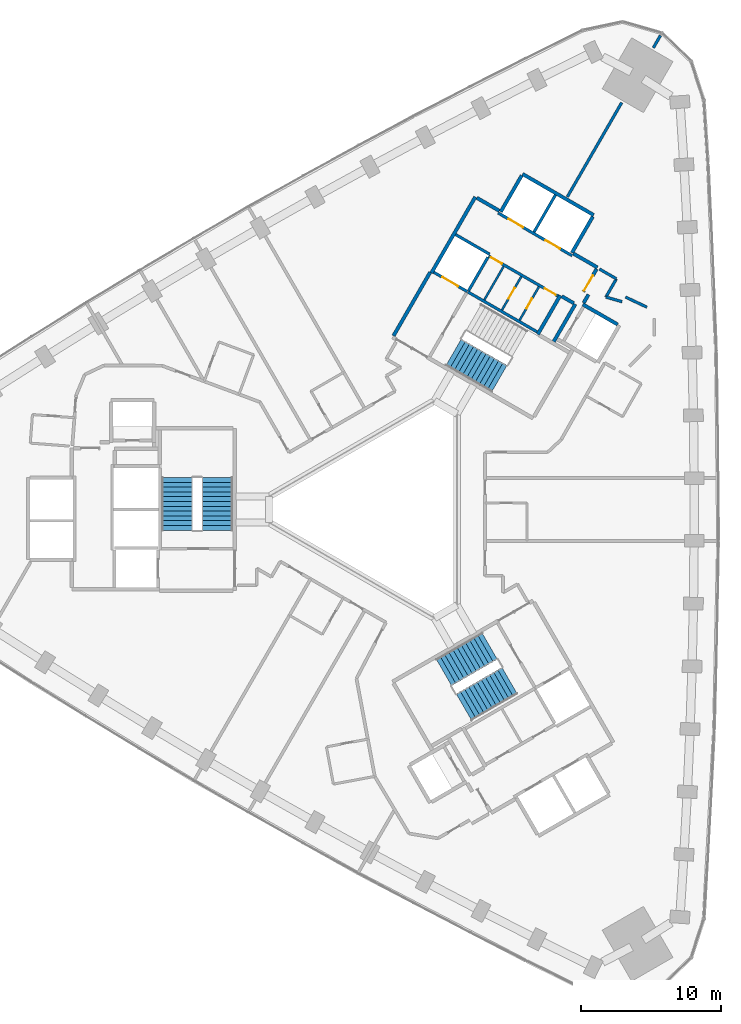
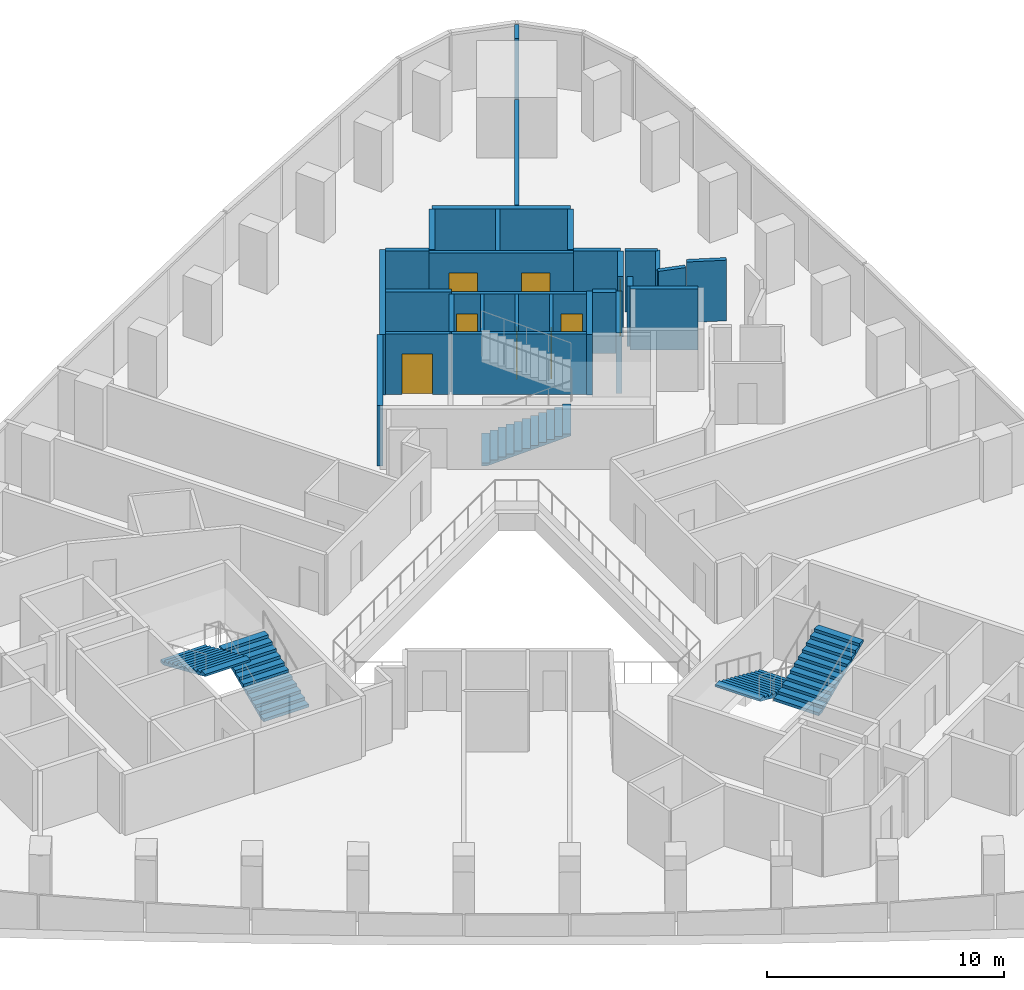
# One storey, part 11 of 13: 29 walls, 8 doors, 5 stair flights, 8 openings, 3 elements without a shape of their own.
"""IFC4 building model written with IfcOpenShell, lengths in metres."""

from ifc_helpers import new_model, si_unit, direction, frame, frame_2d, origin, place, context, subcontext, project, spatial, polyline, rectangle, outline, extrude, material, layer, layer_set, type_object, element, fill, aggregate, save


model = new_model("IFC4")

# Units and contexts
model_context = context("Model", 3, precision=1e-05, world=origin(), true_north=direction((0.0, 1.0)))
body_context = subcontext(model_context, "Body", "Model", "MODEL_VIEW")
ifc_project = project(units=[si_unit("LENGTHUNIT", "METRE"), si_unit("AREAUNIT", "SQUARE_METRE"), si_unit("VOLUMEUNIT", "CUBIC_METRE"), si_unit("PLANEANGLEUNIT", "RADIAN"), si_unit("MASSUNIT", "GRAM", prefix="KILO")], contexts=[model_context])

# Site, building, storey
site_placement = place(None, origin())
site = spatial("IfcSite", under=ifc_project, at=site_placement, CompositionType="ELEMENT")
building_placement = place(site_placement, origin())
building = spatial("IfcBuilding", under=site, at=building_placement, Name="Tamra Quay Hotel Tower", CompositionType="ELEMENT")
storey_placement = place(building_placement, frame((0.0, 0.0, 38.60009765625)))
storey = spatial("IfcBuildingStorey", under=building, at=storey_placement, Name="L07", CompositionType="ELEMENT", Elevation=38.60009765625)

# Wall, openings, doors
ifc_material_1 = material(Name="Concrete M70", Category="concrete")
ifc_layer_1 = layer(ifc_material_1, 0.199951171875)
ifc_layer_set_1 = layer_set([ifc_layer_1], Name="Concrete M70 core wall 200")
wall_type_1 = type_object("IfcWallType", Name="Concrete M70 core wall 200", PredefinedType="SHEAR", material=ifc_layer_set_1)
wall_1_placement = place(storey_placement, frame((13.209716796875, 18.07958984375, 0.0), z_axis=(0.0, 0.0, 1.0), x_axis=(-0.866030299012, 0.499991521122, 0.0)))
wall_1 = element("IfcWall", 1, at=wall_1_placement, inside=storey, type_object=wall_type_1, Name="CW2", PredefinedType="SHEAR", context=body_context, shape_type="SweptSolid", body=[
    extrude(rectangle(XDim=6.10009765625, YDim=0.199951171875, at=frame_2d((3.050048828125, 0.0))), origin(), (0.0, 0.0, 1.0), 3.125),
])
opening_1_placement = place(wall_1_placement, frame((1.0, 0.0, 0.0)))
opening_1 = element("IfcOpeningElement", 2, at=opening_1_placement, cuts=wall_1, Name="Opening LD", PredefinedType="OPENING", context=body_context, shape_type="SweptSolid", body=[
    extrude(rectangle(XDim=1.199951171875, YDim=2.10009765625, at=frame_2d((0.60009765625, 1.050048828125))), frame((0.0, 0.10986328125, 0.0), z_axis=(0.0, -1.0, 0.0), x_axis=(1.0, 0.0, 0.0)), (0.0, 0.0, 1.0), 0.219970703125),
])
opening_2_placement = place(wall_1_placement, frame((4.05029296875, 0.0, 0.0)))
opening_2 = element("IfcOpeningElement", 3, at=opening_2_placement, cuts=wall_1, Name="Opening LD", PredefinedType="OPENING", context=body_context, shape_type="SweptSolid", body=[
    extrude(rectangle(XDim=1.199951171875, YDim=2.10009765625, at=frame_2d((0.60009765625, 1.050048828125))), frame((0.0, 0.10986328125, 0.0), z_axis=(0.0, -1.0, 0.0), x_axis=(1.0, 0.0, 0.0)), (0.0, 0.0, 1.0), 0.219970703125),
])
ifc_material_2 = material(Name="Landing door LD 1200 double door sliding")
door_type_1 = type_object("IfcDoorType", Name="Landing door LD 1200 double door sliding", OperationType="DOUBLE_DOOR_SLIDING", PredefinedType="DOOR", material=ifc_material_2)
door_1_placement = place(opening_1_placement, origin())
door_1 = element("IfcDoor", 4, at=door_1_placement, inside=storey, type_object=door_type_1, Name="LD", OperationType="DOUBLE_DOOR_SLIDING", OverallHeight=2.10009765625, OverallWidth=1.199951171875, PredefinedType="DOOR", context=body_context, shape_type="SweptSolid", body=[
    extrude(rectangle(XDim=1.199951171875, YDim=2.10009765625, at=frame_2d((0.60009765625, 1.050048828125))), frame((0.0, 0.02490234375, 0.0), z_axis=(0.0, -1.0, 0.0), x_axis=(1.0, 0.0, 0.0)), (0.0, 0.0, 1.0), 0.050048828125),
])
fill(opening_1, door_1)
door_2_placement = place(opening_2_placement, origin())
door_2 = element("IfcDoor", 5, at=door_2_placement, inside=storey, type_object=door_type_1, Name="LD", OperationType="DOUBLE_DOOR_SLIDING", OverallHeight=2.10009765625, OverallWidth=1.199951171875, PredefinedType="DOOR", context=body_context, shape_type="SweptSolid", body=[
    extrude(rectangle(XDim=1.199951171875, YDim=2.10009765625, at=frame_2d((0.60009765625, 1.050048828125))), frame((0.0, 0.02490234375, 0.0), z_axis=(0.0, -1.0, 0.0), x_axis=(1.0, 0.0, 0.0)), (0.0, 0.0, 1.0), 0.050048828125),
])
fill(opening_2, door_2)

# Wall
wall_2_placement = place(storey_placement, frame((5.774658203125, 15.501953125, 0.0), z_axis=(0.0, 0.0, 1.0), x_axis=(0.866020080793, -0.500009219579, 0.0)))
element("IfcWall", 6, at=wall_2_placement, inside=storey, type_object=wall_type_1, Name="CW2", PredefinedType="SHEAR", context=body_context, shape_type="SweptSolid", body=[
    extrude(rectangle(XDim=5.69921875, YDim=0.199951171875, at=frame_2d((2.849609375, 0.0))), origin(), (0.0, 0.0, 1.0), 3.125),
])

# Wall, openings, doors
wall_3_placement = place(storey_placement, frame((12.18505859375, 15.20703125, 0.0), z_axis=(0.0, 0.0, 1.0), x_axis=(-0.866020080793, 0.500009219579, 0.0)))
wall_3 = element("IfcWall", 7, at=wall_3_placement, inside=storey, type_object=wall_type_1, Name="CW2", PredefinedType="SHEAR", context=body_context, shape_type="SweptSolid", body=[
    extrude(rectangle(XDim=5.69921875, YDim=0.199951171875, at=frame_2d((2.849609375, 0.0))), origin(), (0.0, 0.0, 1.0), 3.125),
])
opening_3_placement = place(wall_3_placement, frame((0.174072265625, 0.0, 0.0)))
opening_3 = element("IfcOpeningElement", 8, at=opening_3_placement, cuts=wall_3, Name="Opening D2", PredefinedType="OPENING", context=body_context, shape_type="SweptSolid", body=[
    extrude(rectangle(XDim=0.89990234375, YDim=2.10009765625, at=frame_2d((0.449951171875, 1.050048828125))), frame((0.0, 0.10986328125, 0.0), z_axis=(0.0, -1.0, 0.0), x_axis=(1.0, 0.0, 0.0)), (0.0, 0.0, 1.0), 0.219970703125),
])
opening_4_placement = place(wall_3_placement, frame((4.59912109375, 0.0, 0.0)))
opening_4 = element("IfcOpeningElement", 9, at=opening_4_placement, cuts=wall_3, Name="Opening D2", PredefinedType="OPENING", context=body_context, shape_type="SweptSolid", body=[
    extrude(rectangle(XDim=0.89990234375, YDim=2.10009765625, at=frame_2d((0.449951171875, 1.050048828125))), frame((0.0, 0.10986328125, 0.0), z_axis=(0.0, -1.0, 0.0), x_axis=(1.0, 0.0, 0.0)), (0.0, 0.0, 1.0), 0.219970703125),
])
ifc_material_3 = material(Name="Core door D2 900x2100 LH")
door_type_2 = type_object("IfcDoorType", Name="Core door D2 900x2100 LH", OperationType="NOTDEFINED", PredefinedType="DOOR", material=ifc_material_3)
door_3_placement = place(opening_3_placement, origin())
door_3 = element("IfcDoor", 10, at=door_3_placement, inside=storey, type_object=door_type_2, Name="D2", OperationType="SINGLE_SWING_LEFT", OverallHeight=2.10009765625, OverallWidth=0.89990234375, PredefinedType="DOOR", context=body_context, shape_type="SweptSolid", body=[
    extrude(rectangle(XDim=0.89990234375, YDim=2.10009765625, at=frame_2d((0.449951171875, 1.050048828125))), frame((0.0, 0.02490234375, 0.0), z_axis=(0.0, -1.0, 0.0), x_axis=(1.0, 0.0, 0.0)), (0.0, 0.0, 1.0), 0.050048828125),
])
fill(opening_3, door_3)
ifc_material_4 = material(Name="Core door D2 900x2100 RH")
door_type_3 = type_object("IfcDoorType", Name="Core door D2 900x2100 RH", OperationType="NOTDEFINED", PredefinedType="DOOR", material=ifc_material_4)
door_4_placement = place(opening_4_placement, origin())
door_4 = element("IfcDoor", 11, at=door_4_placement, inside=storey, type_object=door_type_3, Name="D2", OperationType="SINGLE_SWING_RIGHT", OverallHeight=2.10009765625, OverallWidth=0.89990234375, PredefinedType="DOOR", context=body_context, shape_type="SweptSolid", body=[
    extrude(rectangle(XDim=0.89990234375, YDim=2.10009765625, at=frame_2d((0.449951171875, 1.050048828125))), frame((0.0, 0.02490234375, 0.0), z_axis=(0.0, -1.0, 0.0), x_axis=(1.0, 0.0, 0.0)), (0.0, 0.0, 1.0), 0.050048828125),
])
fill(opening_4, door_4)

# Walls
wall_4_placement = place(storey_placement, frame((10.48876953125, 19.76708984375, 0.0), z_axis=(0.0, 0.0, 1.0), x_axis=(0.499946628782, 0.866056215479, 0.0)))
element("IfcWall", 12, at=wall_4_placement, inside=storey, type_object=wall_type_1, Name="CW2", PredefinedType="SHEAR", context=body_context, shape_type="SweptSolid", body=[
    extrude(rectangle(XDim=3.048095703125, YDim=0.199951171875, at=frame_2d((1.52392578125, 0.0))), origin(), (0.0, 0.0, 1.0), 3.125),
])
wall_5_placement = place(storey_placement, frame((7.199462890625, 17.969970703125, 0.0), z_axis=(0.0, 0.0, 1.0), x_axis=(-0.499968400327, -0.866043647095, 0.0)))
element("IfcWall", 13, at=wall_5_placement, inside=storey, type_object=wall_type_1, Name="CW2", PredefinedType="SHEAR", context=body_context, shape_type="SweptSolid", body=[
    extrude(rectangle(XDim=2.749755859375, YDim=0.199951171875, at=frame_2d((1.375, 0.0))), origin(), (0.0, 0.0, 1.0), 3.125),
])

# Wall, opening, door
wall_6_placement = place(storey_placement, frame((5.72509765625, 15.530517578125, 0.0), z_axis=(0.0, 0.0, 1.0), x_axis=(-0.866037306777, 0.499979382845, 0.0)))
wall_6 = element("IfcWall", 14, at=wall_6_placement, inside=storey, type_object=wall_type_1, Name="CW2", PredefinedType="SHEAR", context=body_context, shape_type="SweptSolid", body=[
    extrude(rectangle(XDim=2.74169921875, YDim=0.199951171875, at=frame_2d((1.370849609375, 0.0))), origin(), (0.0, 0.0, 1.0), 3.125),
])
opening_5_placement = place(wall_6_placement, frame((0.742919921875, 0.0, 0.0)))
opening_5 = element("IfcOpeningElement", 15, at=opening_5_placement, cuts=wall_6, Name="Opening LD", PredefinedType="OPENING", context=body_context, shape_type="SweptSolid", body=[
    extrude(rectangle(XDim=1.300048828125, YDim=2.10009765625, at=frame_2d((0.64990234375, 1.050048828125))), frame((0.0, 0.10986328125, 0.0), z_axis=(0.0, -1.0, 0.0), x_axis=(1.0, 0.0, 0.0)), (0.0, 0.0, 1.0), 0.219970703125),
])
ifc_material_5 = material(Name="Landing door LD 1300 sliding to right")
door_type_4 = type_object("IfcDoorType", Name="Landing door LD 1300 sliding to right", OperationType="NOTDEFINED", PredefinedType="DOOR", material=ifc_material_5)
door_5_placement = place(opening_5_placement, origin())
door_5 = element("IfcDoor", 16, at=door_5_placement, inside=storey, type_object=door_type_4, Name="LD", OperationType="SLIDING_TO_RIGHT", OverallHeight=2.10009765625, OverallWidth=1.300048828125, PredefinedType="DOOR", context=body_context, shape_type="SweptSolid", body=[
    extrude(rectangle(XDim=1.300048828125, YDim=2.10009765625, at=frame_2d((0.64990234375, 1.050048828125))), frame((0.0, 0.02490234375, 0.0), z_axis=(0.0, -1.0, 0.0), x_axis=(1.0, 0.0, 0.0)), (0.0, 0.0, 1.0), 0.050048828125),
])
fill(opening_5, door_5)

# Walls
wall_7_placement = place(storey_placement, frame((4.900634765625, 19.5859375, 0.0), z_axis=(0.0, 0.0, 1.0), x_axis=(0.866022890907, -0.500004352405, 0.0)))
element("IfcWall", 17, at=wall_7_placement, inside=storey, type_object=wall_type_1, Name="CW2", PredefinedType="SHEAR", context=body_context, shape_type="SweptSolid", body=[
    extrude(rectangle(XDim=2.798828125, YDim=0.199951171875, at=frame_2d((1.3994140625, 0.0))), origin(), (0.0, 0.0, 1.0), 3.125),
])
ifc_layer_2 = layer(ifc_material_1, 0.25)
ifc_layer_set_2 = layer_set([ifc_layer_2], Name="Concrete M70 core wall 250")
wall_type_2 = type_object("IfcWallType", Name="Concrete M70 core wall 250", PredefinedType="SHEAR", material=ifc_layer_set_2)
wall_8_placement = place(storey_placement, frame((3.178955078125, 16.856201171875, 0.0), z_axis=(0.0, 0.0, 1.0), x_axis=(0.500004234368, 0.866022959057, 0.0)))
element("IfcWall", 18, at=wall_8_placement, inside=storey, type_object=wall_type_2, Name="CW1", PredefinedType="SHEAR", context=body_context, shape_type="SweptSolid", body=[
    extrude(rectangle(XDim=6.25, YDim=0.25, at=frame_2d((3.125, 0.0))), origin(), (0.0, 0.0, 1.0), 3.125),
])
wall_9_placement = place(storey_placement, frame((9.672607421875, 23.9033203125, 0.0), z_axis=(0.0, 0.0, 1.0), x_axis=(0.86603616409, -0.499981362141, 0.0)))
element("IfcWall", 19, at=wall_9_placement, inside=storey, type_object=wall_type_2, Name="CW1", PredefinedType="SHEAR", context=body_context, shape_type="SweptSolid", body=[
    extrude(rectangle(XDim=5.849853515625, YDim=0.25, at=frame_2d((2.9248046875, 0.0))), origin(), (0.0, 0.0, 1.0), 3.125),
])
wall_10_placement = place(storey_placement, frame((0.47998046875, 12.38134765625, 0.0), z_axis=(0.0, 0.0, 1.0), x_axis=(0.49999885962, 0.866026062182, 0.0)))
element("IfcWall", 20, at=wall_10_placement, inside=storey, type_object=wall_type_2, Name="CW1", PredefinedType="SHEAR", context=body_context, shape_type="SweptSolid", body=[
    extrude(rectangle(XDim=5.224609375, YDim=0.25, at=frame_2d((2.6123046875, 0.0))), origin(), (0.0, 0.0, 1.0), 3.125),
])
wall_11_placement = place(storey_placement, frame((12.356689453125, 15.25244140625, 0.0), z_axis=(0.0, 0.0, 1.0), x_axis=(-0.500028443584, -0.866008981251, 0.0)))
element("IfcWall", 21, at=wall_11_placement, inside=storey, type_object=wall_type_2, Name="CW1", PredefinedType="SHEAR", context=body_context, shape_type="SweptSolid", body=[
    extrude(rectangle(XDim=3.199951171875, YDim=0.25, at=frame_2d((1.60009765625, 0.0))), origin(), (0.0, 0.0, 1.0), 3.125),
])
for number, where, z_axis, x_axis, name in (
    (22, (8.12255859375, 21.21875, 0.0), (0.0, 0.0, 1.0), (0.499987686533, 0.866032512851, 0.0), "CW1"),
    (23, (14.67626953125, 20.869873046875, 0.0), (0.0, 0.0, 1.0), (-0.499987686533, -0.866032512851, 0.0), "CW1"),
):
    element("IfcWall", number, at=place(storey_placement, frame(where, z_axis=z_axis, x_axis=x_axis)), inside=storey, type_object=wall_type_2, Name=name, PredefinedType="SHEAR", context=body_context, shape_type="SweptSolid", body=[
        extrude(rectangle(XDim=2.974609375, YDim=0.25, at=frame_2d((1.4873046875, 0.0))), origin(), (0.0, 0.0, 1.0), 3.125),
    ])
wall_12_placement = place(storey_placement, frame((13.962646484375, 14.61376953125, 0.0), z_axis=(0.0, 0.0, 1.0), x_axis=(0.866042235819, -0.499970844928, 0.0)))
element("IfcWall", 24, at=wall_12_placement, inside=storey, type_object=wall_type_2, Name="CW1", PredefinedType="SHEAR", context=body_context, shape_type="SweptSolid", body=[
    extrude(rectangle(XDim=2.864501953125, YDim=0.25, at=frame_2d((1.43212890625, 0.0))), origin(), (0.0, 0.0, 1.0), 3.125),
])
wall_13_placement = place(storey_placement, frame((11.887939453125, 11.960693359375, 0.0), z_axis=(0.0, 0.0, 1.0), x_axis=(0.500003324108, 0.866023484601, 0.0)))
element("IfcWall", 25, at=wall_13_placement, inside=storey, type_object=wall_type_2, Name="CW1", PredefinedType="SHEAR", context=body_context, shape_type="SweptSolid", body=[
    extrude(rectangle(XDim=3.0849609375, YDim=0.25, at=frame_2d((1.54248046875, 0.0))), origin(), (0.0, 0.0, 1.0), 3.125),
])
wall_14_placement = place(storey_placement, frame((13.29736328125, 18.23095703125, 0.0), z_axis=(0.0, 0.0, 1.0), x_axis=(0.866043531843, -0.499968599967, 0.0)))
element("IfcWall", 26, at=wall_14_placement, inside=storey, type_object=wall_type_2, Name="CW1", PredefinedType="SHEAR", context=body_context, shape_type="SweptSolid", body=[
    extrude(rectangle(XDim=1.974853515625, YDim=0.25, at=frame_2d((0.9873046875, 0.0))), origin(), (0.0, 0.0, 1.0), 3.125),
])
wall_15_placement = place(storey_placement, frame((6.41259765625, 22.2060546875, 0.0), z_axis=(0.0, 0.0, 1.0), x_axis=(0.866016279763, -0.500015802937, 0.0)))
element("IfcWall", 27, at=wall_15_placement, inside=storey, type_object=wall_type_2, Name="CW1", PredefinedType="SHEAR", context=body_context, shape_type="SweptSolid", body=[
    extrude(rectangle(XDim=1.84912109375, YDim=0.25, at=frame_2d((0.924560546875, 0.0))), origin(), (0.0, 0.0, 1.0), 3.125),
])

# Wall, opening, door
wall_16_placement = place(storey_placement, frame((14.94482421875, 17.13525390625, 0.0), z_axis=(0.0, 0.0, 1.0), x_axis=(-0.499983108224, -0.866035156036, 0.0)))
wall_16 = element("IfcWall", 28, at=wall_16_placement, inside=storey, type_object=wall_type_2, Name="CW1", PredefinedType="SHEAR", context=body_context, shape_type="SweptSolid", body=[
    extrude(rectangle(XDim=1.86474609375, YDim=0.25, at=frame_2d((0.932373046875, 0.0))), origin(), (0.0, 0.0, 1.0), 3.125),
])
opening_6_placement = place(wall_16_placement, frame((0.53466796875, 0.0, 0.0)))
opening_6 = element("IfcOpeningElement", 29, at=opening_6_placement, cuts=wall_16, Name="Opening FD3", PredefinedType="OPENING", context=body_context, shape_type="SweptSolid", body=[
    extrude(rectangle(XDim=1.25, YDim=2.10009765625, at=frame_2d((0.625, 1.050048828125))), frame((0.0, 0.135009765625, 0.0), z_axis=(0.0, -1.0, 0.0), x_axis=(1.0, 0.0, 0.0)), (0.0, 0.0, 1.0), 0.27001953125),
])
ifc_material_6 = material(Name="Core door FD3 1250x2100 LH")
door_type_5 = type_object("IfcDoorType", Name="Core door FD3 1250x2100 LH", OperationType="NOTDEFINED", PredefinedType="DOOR", material=ifc_material_6)
door_6_placement = place(opening_6_placement, origin())
door_6 = element("IfcDoor", 30, at=door_6_placement, inside=storey, type_object=door_type_5, Name="FD3", OperationType="SINGLE_SWING_LEFT", OverallHeight=2.10009765625, OverallWidth=1.25, PredefinedType="DOOR", context=body_context, shape_type="SweptSolid", body=[
    extrude(rectangle(XDim=1.25, YDim=2.10009765625, at=frame_2d((0.625, 1.050048828125))), frame((0.0, 0.02490234375, 0.0), z_axis=(0.0, -1.0, 0.0), x_axis=(1.0, 0.0, 0.0)), (0.0, 0.0, 1.0), 0.050048828125),
])
fill(opening_6, door_6)

# Walls
wall_17_placement = place(storey_placement, frame((13.322021484375, 14.695068359375, 0.0), z_axis=(0.0, 0.0, 1.0), x_axis=(-0.866017078145, 0.500014420154, 0.0)))
element("IfcWall", 31, at=wall_17_placement, inside=storey, type_object=wall_type_2, Name="CW1", PredefinedType="SHEAR", context=body_context, shape_type="SweptSolid", body=[
    extrude(rectangle(XDim=0.9892578125, YDim=0.25, at=frame_2d((0.49462890625, 0.0))), origin(), (0.0, 0.0, 1.0), 3.125),
])
wall_18_placement = place(storey_placement, frame((14.36767578125, 15.3154296875, 0.0), z_axis=(0.0, 0.0, 1.0), x_axis=(-0.499897359611, -0.866084655132, 0.0)))
element("IfcWall", 32, at=wall_18_placement, inside=storey, type_object=wall_type_2, Name="CW1", PredefinedType="SHEAR", context=body_context, shape_type="SweptSolid", body=[
    extrude(rectangle(XDim=0.684814453125, YDim=0.25, at=frame_2d((0.34228515625, 0.0))), origin(), (0.0, 0.0, 1.0), 3.125),
])

# Wall, opening, door
ifc_material_7 = material(Name="Blockwork", Category="masonry")
ifc_layer_3 = layer(ifc_material_7, 0.14990234375)
ifc_layer_set_3 = layer_set([ifc_layer_3], Name="Core partition block 150")
wall_type_3 = type_object("IfcWallType", Name="Core partition block 150", PredefinedType="PARTITIONING", material=ifc_layer_set_3)
wall_19_placement = place(storey_placement, frame((9.462158203125, 13.4892578125, 0.0), z_axis=(0.0, 0.0, 1.0), x_axis=(0.50002746344, 0.86600954718, 0.0)))
wall_19 = element("IfcWall", 33, at=wall_19_placement, inside=storey, type_object=wall_type_3, Name="CP1", PredefinedType="PARTITIONING", context=body_context, shape_type="SweptSolid", body=[
    extrude(rectangle(XDim=2.748291015625, YDim=0.14990234375, at=frame_2d((1.3740234375, 0.0))), origin(), (0.0, 0.0, 1.0), 3.125),
])
opening_7_placement = place(wall_19_placement, frame((0.97412109375, 0.0, 0.0)))
opening_7 = element("IfcOpeningElement", 34, at=opening_7_placement, cuts=wall_19, Name="Opening D3", PredefinedType="OPENING", context=body_context, shape_type="SweptSolid", body=[
    extrude(rectangle(XDim=0.800048828125, YDim=2.10009765625, at=frame_2d((0.39990234375, 1.050048828125))), frame((0.0, 0.0849609375, 0.0), z_axis=(0.0, -1.0, 0.0), x_axis=(1.0, 0.0, 0.0)), (0.0, 0.0, 1.0), 0.169921875),
])
ifc_material_8 = material(Name="Core door D3 800x2100 RH")
door_type_6 = type_object("IfcDoorType", Name="Core door D3 800x2100 RH", OperationType="NOTDEFINED", PredefinedType="DOOR", material=ifc_material_8)
door_7_placement = place(opening_7_placement, origin())
door_7 = element("IfcDoor", 35, at=door_7_placement, inside=storey, type_object=door_type_6, Name="D3", OperationType="SINGLE_SWING_RIGHT", OverallHeight=2.10009765625, OverallWidth=0.800048828125, PredefinedType="DOOR", context=body_context, shape_type="SweptSolid", body=[
    extrude(rectangle(XDim=0.800048828125, YDim=2.10009765625, at=frame_2d((0.39990234375, 1.050048828125))), frame((0.0, 0.02490234375, 0.0), z_axis=(0.0, -1.0, 0.0), x_axis=(1.0, 0.0, 0.0)), (0.0, 0.0, 1.0), 0.050048828125),
])
fill(opening_7, door_7)

wall_20_placement = place(storey_placement, frame((8.20654296875, 14.214111328125, 0.0), z_axis=(0.0, 0.0, 1.0), x_axis=(0.499922376475, 0.866070215109, 0.0)))
wall_20 = element("IfcWall", 36, at=wall_20_placement, inside=storey, type_object=wall_type_3, Name="CP1", PredefinedType="PARTITIONING", context=body_context, shape_type="SweptSolid", body=[
    extrude(rectangle(XDim=2.74853515625, YDim=0.14990234375, at=frame_2d((1.374267578125, 0.0))), origin(), (0.0, 0.0, 1.0), 3.125),
])
opening_8_placement = place(wall_20_placement, frame((0.92431640625, 0.0, 0.0)))
opening_8 = element("IfcOpeningElement", 37, at=opening_8_placement, cuts=wall_20, Name="Opening D2", PredefinedType="OPENING", context=body_context, shape_type="SweptSolid", body=[
    extrude(rectangle(XDim=0.89990234375, YDim=2.10009765625, at=frame_2d((0.449951171875, 1.050048828125))), frame((0.0, 0.0849609375, 0.0), z_axis=(0.0, -1.0, 0.0), x_axis=(1.0, 0.0, 0.0)), (0.0, 0.0, 1.0), 0.169921875),
])
door_8_placement = place(opening_8_placement, origin())
door_8 = element("IfcDoor", 38, at=door_8_placement, inside=storey, type_object=door_type_2, Name="D2", OperationType="SINGLE_SWING_LEFT", OverallHeight=2.10009765625, OverallWidth=0.89990234375, PredefinedType="DOOR", context=body_context, shape_type="SweptSolid", body=[
    extrude(rectangle(XDim=0.89990234375, YDim=2.10009765625, at=frame_2d((0.449951171875, 1.050048828125))), frame((0.0, 0.02490234375, 0.0), z_axis=(0.0, -1.0, 0.0), x_axis=(1.0, 0.0, 0.0)), (0.0, 0.0, 1.0), 0.050048828125),
])
fill(opening_8, door_8)

# Walls
wall_21_placement = place(storey_placement, frame((6.95068359375, 14.939208984375, 0.0), z_axis=(0.0, 0.0, 1.0), x_axis=(0.50002746344, 0.86600954718, 0.0)))
element("IfcWall", 39, at=wall_21_placement, inside=storey, type_object=wall_type_3, Name="CP1", PredefinedType="PARTITIONING", context=body_context, shape_type="SweptSolid", body=[
    extrude(rectangle(XDim=2.748291015625, YDim=0.14990234375, at=frame_2d((1.3740234375, 0.0))), origin(), (0.0, 0.0, 1.0), 3.125),
])
ifc_material_9 = material(Name="Partition corridor wall")
ifc_layer_4 = layer(ifc_material_9, 0.199951171875)
ifc_layer_set_4 = layer_set([ifc_layer_4], Name="Partition corridor wall")
wall_type_4 = type_object("IfcWallType", Name="Partition corridor wall", PredefinedType="PARTITIONING", material=ifc_layer_set_4)
wall_22_placement = place(storey_placement, frame((15.155517578125, 17.130126953125, 0.0), z_axis=(0.0, 0.0, 1.0), x_axis=(0.865755062894, -0.500467952093, 0.0)))
element("IfcWall", 40, at=wall_22_placement, inside=storey, type_object=wall_type_4, Name="W-C", PredefinedType="PARTITIONING", context=body_context, shape_type="SweptSolid", body=[
    extrude(rectangle(XDim=1.388916015625, YDim=0.199951171875, at=frame_2d((0.6943359375, 0.0))), origin(), (0.0, 0.0, 1.0), 3.125),
])
wall_23_placement = place(storey_placement, frame((15.60888671875, 15.135986328125, 0.0), z_axis=(0.0, 0.0, 1.0), x_axis=(0.499501622561, 0.866312950993, 0.0)))
element("IfcWall", 41, at=wall_23_placement, inside=storey, type_object=wall_type_4, Name="W-C", PredefinedType="PARTITIONING", context=body_context, shape_type="SweptSolid", body=[
    extrude(rectangle(XDim=1.49951171875, YDim=0.199951171875, at=frame_2d((0.749755859375, 0.0))), origin(), (0.0, 0.0, 1.0), 3.125),
])
wall_24_placement = place(storey_placement, frame((15.60888671875, 15.135986328125, 0.0), z_axis=(0.0, 0.0, 1.0), x_axis=(0.961662011825, -0.274237442763, 0.0)))
element("IfcWall", 42, at=wall_24_placement, inside=storey, type_object=wall_type_4, Name="W-C", PredefinedType="PARTITIONING", context=body_context, shape_type="SweptSolid", body=[
    extrude(rectangle(XDim=1.199951171875, YDim=0.199951171875, at=frame_2d((0.60009765625, 0.0))), origin(), (0.0, 0.0, 1.0), 3.125),
])
wall_25_placement = place(storey_placement, frame((17.009033203125, 15.134033203125, 0.0), z_axis=(0.0, 0.0, 1.0), x_axis=(0.904158632931, -0.427196870887, 0.0)))
element("IfcWall", 43, at=wall_25_placement, inside=storey, type_object=wall_type_4, Name="W-C", PredefinedType="PARTITIONING", context=body_context, shape_type="SweptSolid", body=[
    extrude(rectangle(XDim=1.687744140625, YDim=0.199951171875, at=frame_2d((0.84375, 0.0))), origin(), (0.0, 0.0, 1.0), 3.125),
])
ifc_material_10 = material(Name="Partition party wall")
ifc_layer_5 = layer(ifc_material_10, 0.199951171875)
ifc_layer_set_5 = layer_set([ifc_layer_5], Name="Partition party wall")
wall_type_5 = type_object("IfcWallType", Name="Partition party wall", PredefinedType="PARTITIONING", material=ifc_layer_set_5)
wall_26_placement = place(storey_placement, frame((12.861083984375, 22.276123046875, 0.0), z_axis=(0.0, 0.0, 1.0), x_axis=(0.499864184076, 0.866103802946, 0.0)))
element("IfcWall", 44, at=wall_26_placement, inside=storey, type_object=wall_type_5, Name="W-P", PredefinedType="PARTITIONING", context=body_context, shape_type="SweptSolid", body=[
    extrude(rectangle(XDim=7.754150390625, YDim=0.199951171875, at=frame_2d((3.876953125, 0.0))), origin(), (0.0, 0.0, 1.0), 3.125),
])
wall_27_placement = place(storey_placement, frame((18.987548828125, 32.891845703125, 0.0), z_axis=(0.0, 0.0, 1.0), x_axis=(0.500041382571, 0.866001510228, 0.0)))
element("IfcWall", 45, at=wall_27_placement, inside=storey, type_object=wall_type_5, Name="W-P", PredefinedType="PARTITIONING", context=body_context, shape_type="SweptSolid", body=[
    extrude(rectangle(XDim=1.01611328125, YDim=0.199951171875, at=frame_2d((0.508056640625, 0.0))), origin(), (0.0, 0.0, 1.0), 3.125),
])

# Stair, stair flights
ifc_material_11 = material(Name="Exit stair 2200 24 risers 150.0 going 342")
stair_type = type_object("IfcStairType", Name="Exit stair 2200 24 risers 150.0 going 342", PredefinedType="HALF_TURN_STAIR", material=ifc_material_11)
stair_1_placement = place(storey_placement, origin())
stair_1 = element("IfcStair", 46, at=stair_1_placement, inside=storey, type_object=stair_type, Name="L07 Exit stair ST3", PredefinedType="HALF_TURN_STAIR")
ifc_material_12 = material(Name="Exit stair flight 2200 12 risers 150.0")
stair_flight_type = type_object("IfcStairFlightType", Name="Exit stair flight 2200 12 risers 150.0", PredefinedType="STRAIGHT", material=ifc_material_12)
stair_flight_1_placement = place(storey_placement, frame((-12.082275390625, -1.47998046875, 0.0), z_axis=(0.0, 0.0, 1.0), x_axis=(0.0, 1.0, 0.0)))
stair_flight_1 = element("IfcStairFlight", 47, at=stair_flight_1_placement, type_object=stair_flight_type, Name="ST3 flight 1", NumberOfRisers=12, NumberOfTreads=11, PredefinedType="STRAIGHT", RiserHeight=0.15, TreadLength=0.342, context=body_context, shape_type="SweptSolid", body=[
    extrude(outline(polyline([(0.0, 0.0), (0.0, 0.14990234375), (0.342041015625, 0.14990234375), (0.342041015625, 0.300048828125), (0.68408203125, 0.300048828125), (0.68408203125, 0.449951171875), (1.02587890625, 0.449951171875), (1.02587890625, 0.60009765625), (1.367919921875, 0.60009765625), (1.367919921875, 0.75), (1.7099609375, 0.75), (1.7099609375, 0.89990234375), (2.052001953125, 0.89990234375), (2.052001953125, 1.050048828125), (2.39404296875, 1.050048828125), (2.39404296875, 1.199951171875), (2.736083984375, 1.199951171875), (2.736083984375, 1.35009765625), (3.077880859375, 1.35009765625), (3.077880859375, 1.5), (3.419921875, 1.5), (3.419921875, 1.64990234375), (3.761962890625, 1.64990234375), (3.761962890625, 1.800048828125), (3.761962890625, 1.540771484375), (0.249267578125, 0.0), (0.0, 0.0)])), frame((0.0, 1.10009765625, 0.0), z_axis=(0.0, -1.0, 0.0), x_axis=(1.0, 0.0, 0.0)), (0.0, 0.0, 1.0), 2.199951171875),
])
stair_flight_2_placement = place(storey_placement, frame((-14.94140625, 2.281982421875, 1.7998046875), z_axis=(0.0, 0.0, 1.0), x_axis=(0.0, -1.0, 0.0)))
stair_flight_2 = element("IfcStairFlight", 48, at=stair_flight_2_placement, type_object=stair_flight_type, Name="ST3 flight 2", NumberOfRisers=12, NumberOfTreads=11, PredefinedType="STRAIGHT", RiserHeight=0.15, TreadLength=0.342, context=body_context, shape_type="SweptSolid", body=[
    extrude(outline(polyline([(0.0, 0.0), (0.0, 0.14990234375), (0.342041015625, 0.14990234375), (0.342041015625, 0.300048828125), (0.68408203125, 0.300048828125), (0.68408203125, 0.449951171875), (1.02587890625, 0.449951171875), (1.02587890625, 0.60009765625), (1.367919921875, 0.60009765625), (1.367919921875, 0.75), (1.7099609375, 0.75), (1.7099609375, 0.89990234375), (2.052001953125, 0.89990234375), (2.052001953125, 1.050048828125), (2.39404296875, 1.050048828125), (2.39404296875, 1.199951171875), (2.736083984375, 1.199951171875), (2.736083984375, 1.35009765625), (3.077880859375, 1.35009765625), (3.077880859375, 1.5), (3.419921875, 1.5), (3.419921875, 1.64990234375), (3.761962890625, 1.64990234375), (3.761962890625, 1.800048828125), (3.761962890625, 1.540771484375), (0.249267578125, 0.0), (0.0, 0.0)])), frame((0.0, 1.10009765625, 0.0), z_axis=(0.0, -1.0, 0.0), x_axis=(1.0, 0.0, 0.0)), (0.0, 0.0, 1.0), 2.199951171875),
])
aggregate(stair_1, [stair_flight_1, stair_flight_2])

# Stair, stair flight
stair_2_placement = place(storey_placement, origin())
stair_2 = element("IfcStair", 49, at=stair_2_placement, inside=storey, type_object=stair_type, Name="L07 Exit stair ST1", PredefinedType="HALF_TURN_STAIR")
stair_flight_3_placement = place(storey_placement, frame((4.75927734375, 11.20361328125, 0.0), z_axis=(0.0, 0.0, 1.0), x_axis=(0.866025403784, -0.5, 0.0)))
stair_flight_3 = element("IfcStairFlight", 50, at=stair_flight_3_placement, type_object=stair_flight_type, Name="ST1 flight 1", NumberOfRisers=12, NumberOfTreads=11, PredefinedType="STRAIGHT", RiserHeight=0.15, TreadLength=0.342, context=body_context, shape_type="SweptSolid", body=[
    extrude(outline(polyline([(0.0, 0.0), (0.0, 0.14990234375), (0.342041015625, 0.14990234375), (0.342041015625, 0.300048828125), (0.68408203125, 0.300048828125), (0.68408203125, 0.449951171875), (1.02587890625, 0.449951171875), (1.02587890625, 0.60009765625), (1.367919921875, 0.60009765625), (1.367919921875, 0.75), (1.7099609375, 0.75), (1.7099609375, 0.89990234375), (2.052001953125, 0.89990234375), (2.052001953125, 1.050048828125), (2.39404296875, 1.050048828125), (2.39404296875, 1.199951171875), (2.736083984375, 1.199951171875), (2.736083984375, 1.35009765625), (3.077880859375, 1.35009765625), (3.077880859375, 1.5), (3.419921875, 1.5), (3.419921875, 1.64990234375), (3.761962890625, 1.64990234375), (3.761962890625, 1.800048828125), (3.761962890625, 1.540771484375), (0.249267578125, 0.0), (0.0, 0.0)])), frame((0.0, 1.10009765625, 0.0), z_axis=(0.0, -1.0, 0.0), x_axis=(1.0, 0.0, 0.0)), (0.0, 0.0, 1.0), 2.199951171875),
])
aggregate(stair_2, [stair_flight_3])

# Stair, stair flights
stair_3_placement = place(storey_placement, origin())
stair_3 = element("IfcStair", 51, at=stair_3_placement, inside=storey, type_object=stair_type, Name="L07 Exit stair ST2", PredefinedType="HALF_TURN_STAIR")
stair_flight_4_placement = place(storey_placement, frame((7.322998046875, -9.7236328125, 0.0), z_axis=(0.0, 0.0, 1.0), x_axis=(-0.866025403784, -0.5, 0.0)))
stair_flight_4 = element("IfcStairFlight", 52, at=stair_flight_4_placement, type_object=stair_flight_type, Name="ST2 flight 1", NumberOfRisers=12, NumberOfTreads=11, PredefinedType="STRAIGHT", RiserHeight=0.15, TreadLength=0.342, context=body_context, shape_type="SweptSolid", body=[
    extrude(outline(polyline([(0.0, 0.0), (0.0, 0.14990234375), (0.342041015625, 0.14990234375), (0.342041015625, 0.300048828125), (0.68408203125, 0.300048828125), (0.68408203125, 0.449951171875), (1.02587890625, 0.449951171875), (1.02587890625, 0.60009765625), (1.367919921875, 0.60009765625), (1.367919921875, 0.75), (1.7099609375, 0.75), (1.7099609375, 0.89990234375), (2.052001953125, 0.89990234375), (2.052001953125, 1.050048828125), (2.39404296875, 1.050048828125), (2.39404296875, 1.199951171875), (2.736083984375, 1.199951171875), (2.736083984375, 1.35009765625), (3.077880859375, 1.35009765625), (3.077880859375, 1.5), (3.419921875, 1.5), (3.419921875, 1.64990234375), (3.761962890625, 1.64990234375), (3.761962890625, 1.800048828125), (3.761962890625, 1.540771484375), (0.249267578125, 0.0), (0.0, 0.0)])), frame((0.0, 1.10009765625, 0.0), z_axis=(0.0, -1.0, 0.0), x_axis=(1.0, 0.0, 0.0)), (0.0, 0.0, 1.0), 2.199951171875),
])
stair_flight_5_placement = place(storey_placement, frame((5.494384765625, -14.08056640625, 1.7998046875), z_axis=(0.0, 0.0, 1.0), x_axis=(0.866025403784, 0.5, 0.0)))
stair_flight_5 = element("IfcStairFlight", 53, at=stair_flight_5_placement, type_object=stair_flight_type, Name="ST2 flight 2", NumberOfRisers=12, NumberOfTreads=11, PredefinedType="STRAIGHT", RiserHeight=0.15, TreadLength=0.342, context=body_context, shape_type="SweptSolid", body=[
    extrude(outline(polyline([(0.0, 0.0), (0.0, 0.14990234375), (0.342041015625, 0.14990234375), (0.342041015625, 0.300048828125), (0.68408203125, 0.300048828125), (0.68408203125, 0.449951171875), (1.02587890625, 0.449951171875), (1.02587890625, 0.60009765625), (1.367919921875, 0.60009765625), (1.367919921875, 0.75), (1.7099609375, 0.75), (1.7099609375, 0.89990234375), (2.052001953125, 0.89990234375), (2.052001953125, 1.050048828125), (2.39404296875, 1.050048828125), (2.39404296875, 1.199951171875), (2.736083984375, 1.199951171875), (2.736083984375, 1.35009765625), (3.077880859375, 1.35009765625), (3.077880859375, 1.5), (3.419921875, 1.5), (3.419921875, 1.64990234375), (3.761962890625, 1.64990234375), (3.761962890625, 1.800048828125), (3.761962890625, 1.540771484375), (0.249267578125, 0.0), (0.0, 0.0)])), frame((0.0, 1.10009765625, 0.0), z_axis=(0.0, -1.0, 0.0), x_axis=(1.0, 0.0, 0.0)), (0.0, 0.0, 1.0), 2.199951171875),
])
aggregate(stair_3, [stair_flight_4, stair_flight_5])

save(model, "model.ifc")
